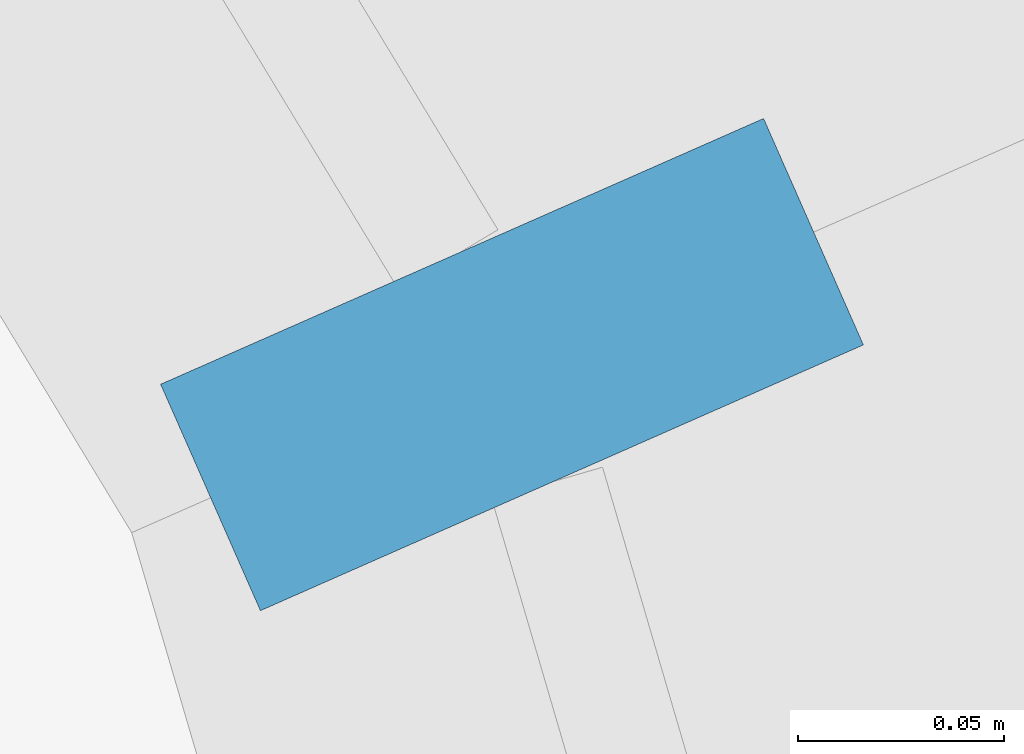
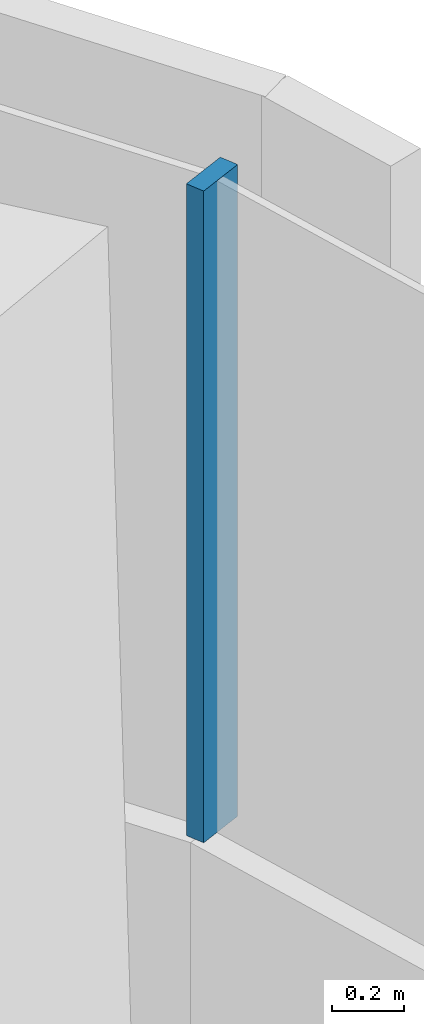
# One storey, part 10 of 35: 1 member, 1 element without a shape of its own.
"""IFC4 building model written with IfcOpenShell, lengths in metres."""

from ifc_helpers import new_model, si_unit, direction, frame, origin, origin_2d, place, context, subcontext, project, spatial, rectangle, extrude, material, layer, layer_set, material_profile, profile_set, type_object, element, aggregate, save


model = new_model("IFC4")

# Units and contexts
model_context = context("Model", 3, precision=1e-05, world=origin(), true_north=direction((0.0, 1.0)))
body_context = subcontext(model_context, "Body", "Model", "MODEL_VIEW")
ifc_project = project(units=[si_unit("LENGTHUNIT", "METRE"), si_unit("AREAUNIT", "SQUARE_METRE"), si_unit("VOLUMEUNIT", "CUBIC_METRE"), si_unit("PLANEANGLEUNIT", "RADIAN"), si_unit("MASSUNIT", "GRAM", prefix="KILO")], contexts=[model_context])

# Site, building, storey
site_placement = place(None, origin())
site = spatial("IfcSite", under=ifc_project, at=site_placement, CompositionType="ELEMENT")
building_placement = place(site_placement, origin())
building = spatial("IfcBuilding", under=site, at=building_placement, Name="Tamarind Cross Interchange Tower", CompositionType="ELEMENT")
storey_placement = place(building_placement, frame((0.0, 0.0, 148.0)))
storey = spatial("IfcBuildingStorey", under=building, at=storey_placement, Name="L36", CompositionType="ELEMENT", Elevation=148.0)

# Curtain wall, member
ifc_material = material(Name="Aluminium 6063-T6", Category="aluminium")
ifc_layer = layer(ifc_material, 0.159912109375)
ifc_layer_set = layer_set([ifc_layer], Name="Aluminium 6063-T6")
curtain_wall_type = type_object("IfcCurtainWallType", Name="Office curtain wall, 9.0 m bays", PredefinedType="NOTDEFINED", material=ifc_layer_set)
curtain_wall_placement = place(storey_placement, origin())
curtain_wall = element("IfcCurtainWall", 1, at=curtain_wall_placement, inside=storey, type_object=curtain_wall_type, Name="CWS-L36-05", PredefinedType="NOTDEFINED")
ifc_material_profile = material_profile(ifc_material, rectangle(XDim=0.06005859375, YDim=0.159912109375, at=origin_2d()), Name="Mullion CW1")
ifc_profile_set = profile_set([ifc_material_profile], Name="Aluminium 6063-T6")
member_type = type_object("IfcMemberType", Name="Mullion CW1", PredefinedType="MULLION", material=ifc_profile_set)
member_placement = place(storey_placement, frame((19.154296875, -40.376220703125, 1.39990234375), z_axis=(0.0, 0.0, 1.0), x_axis=(-0.403310863205, 0.915063029316, 0.0)))
member = element("IfcMember", 2, at=member_placement, type_object=member_type, Name="CWM-L36-05-00", PredefinedType="MULLION", context=body_context, shape_type="SweptSolid", body=[
    extrude(rectangle(XDim=0.06005859375, YDim=0.159912109375, at=origin_2d()), origin(), (0.0, 0.0, 1.0), 2.210205078125),
])
aggregate(curtain_wall, [member])

save(model, "model.ifc")
